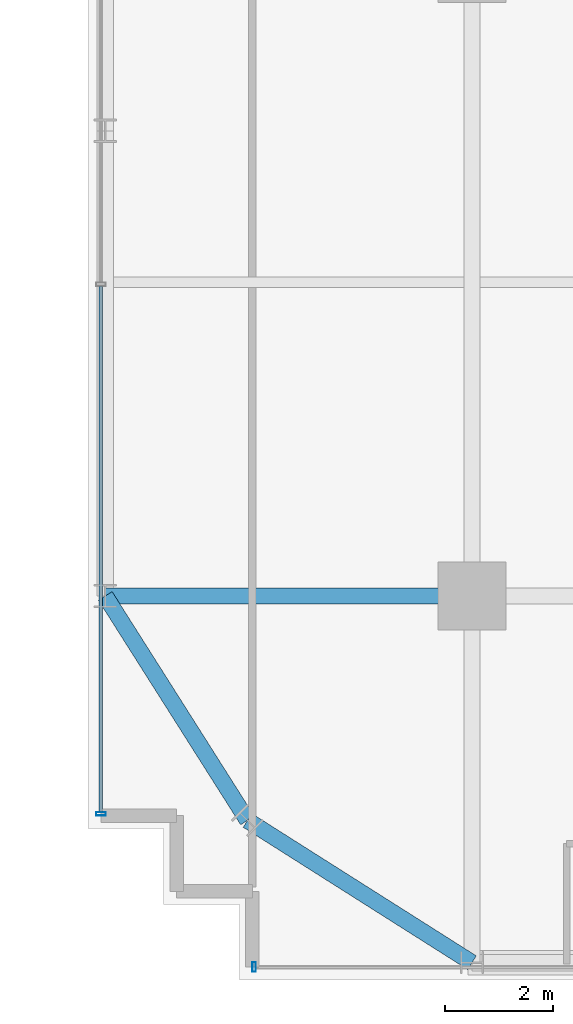
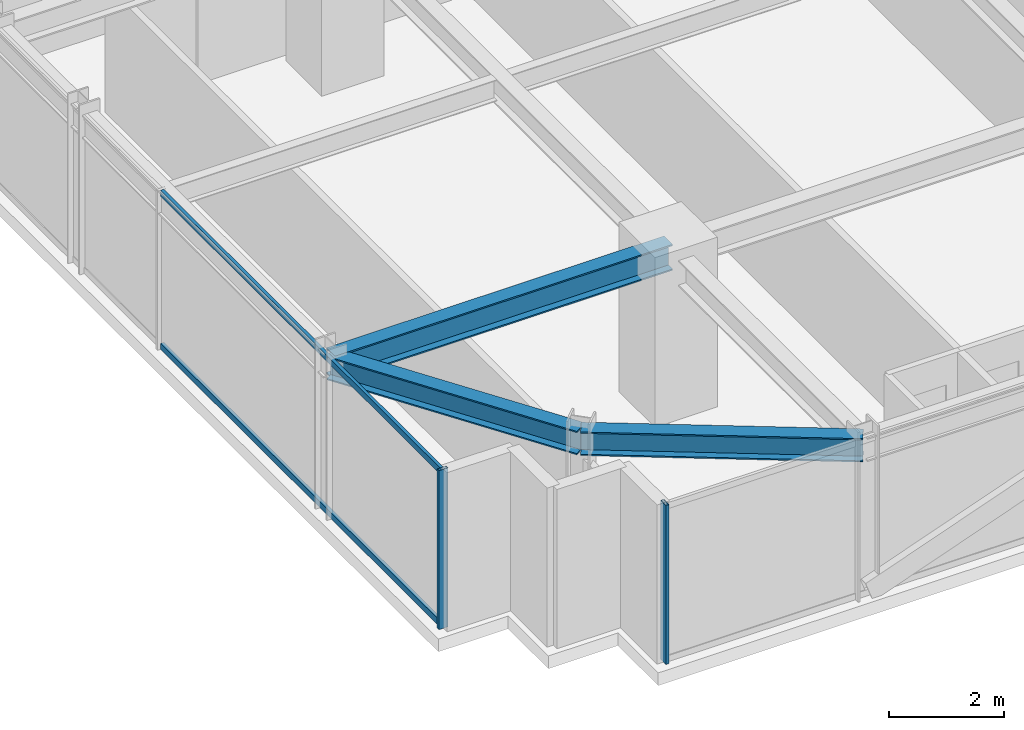
# One storey, part 2 of 35: 4 members, 3 beams, 2 elements without a shape of their own.
"""IFC4 building model written with IfcOpenShell, lengths in metres."""

from ifc_helpers import new_model, si_unit, direction, frame, origin, origin_2d, place, context, subcontext, project, spatial, hollow_rectangle, i_section, extrude, source, transform, mapped, material, material_profile, profile_set, type_object, element, aggregate, save


model = new_model("IFC4")

# Units and contexts
model_context = context("Model", 3, precision=1e-05, world=origin(), true_north=direction((0.0, 1.0)))
body_context = subcontext(model_context, "Body", "Model", "MODEL_VIEW")
ifc_project = project(units=[si_unit("LENGTHUNIT", "METRE"), si_unit("AREAUNIT", "SQUARE_METRE"), si_unit("VOLUMEUNIT", "CUBIC_METRE"), si_unit("PLANEANGLEUNIT", "RADIAN"), si_unit("MASSUNIT", "GRAM", prefix="KILO")], contexts=[model_context])

# Site, building, storey
site_placement = place(None, origin())
site = spatial("IfcSite", under=ifc_project, at=site_placement, CompositionType="ELEMENT")
building_placement = place(site_placement, origin())
building = spatial("IfcBuilding", under=site, at=building_placement, Name="Nahalor Promenade Grand Hotel", CompositionType="ELEMENT")
storey_placement = place(building_placement, frame((0.0, 0.0, 106.550048828125)))
storey = spatial("IfcBuildingStorey", under=building, at=storey_placement, Name="L26", CompositionType="ELEMENT", Elevation=106.550048828125)

# Beams
ifc_material_1 = material(Name="Steel S355JR", Category="steel")
ifc_material_profile_1 = material_profile(ifc_material_1, i_section(OverallWidth=0.3, OverallDepth=0.5, WebThickness=0.0145, FlangeThickness=0.028, at=origin_2d()), Name="HEB 500")
ifc_profile_set_1 = profile_set([ifc_material_profile_1], Name="Steel S355JR")
beam_type_1 = type_object("IfcBeamType", Name="Beam-Spandrel-HEB500", PredefinedType="SPANDREL", material=ifc_profile_set_1)
shared_shape_1 = source(origin(), body_context, "Body", "SweptSolid", [
    extrude(i_section(OverallWidth=0.3, OverallDepth=0.5, WebThickness=0.0145, FlangeThickness=0.028, at=origin_2d()), origin(), (0.0, 0.0, 1.0), 4.9130859375),
])
for number, where, z_axis, x_axis, name in (
    (1, (-17.0, -23.780029296875, 3.1298828125), (-0.844648325505, 0.535321591403, 0.0), (-0.535321591403, -0.844648325505, 0.0), "BM-L26-SPC-SW-1"),
    (2, (-21.14990234375, -21.14990234375, 3.1298828125), (-0.535321591403, 0.844648325505, 0.0), (-0.844648325505, -0.535321591403, 0.0), "BM-L26-SPC-SW-2"),
):
    element("IfcBeam", number, at=place(storey_placement, frame(where, z_axis=z_axis, x_axis=x_axis)), inside=storey, type_object=beam_type_1, Name=name, PredefinedType="SPANDREL", context=body_context, shape_type="MappedRepresentation", body=[
        mapped(shared_shape_1, transform((0.0, 0.0, 0.0), scale=1.0)),
    ])
ifc_material_profile_2 = material_profile(ifc_material_1, i_section(OverallWidth=0.3, OverallDepth=0.55, WebThickness=0.015, FlangeThickness=0.029, at=origin_2d()), Name="HEB 550")
ifc_profile_set_2 = profile_set([ifc_material_profile_2], Name="Steel S355JR")
beam_type_2 = type_object("IfcBeamType", Name="Beam-Girder-HEB550", PredefinedType="BEAM", material=ifc_profile_set_2)
shared_shape_2 = source(origin(), body_context, "Body", "SweptSolid", [
    extrude(i_section(OverallWidth=0.3, OverallDepth=0.55, WebThickness=0.015, FlangeThickness=0.029, at=origin_2d()), origin(), (0.0, 0.0, 1.0), 6.780029296875),
])
beam_placement = place(storey_placement, frame((-23.780029296875, -17.0, 3.10498046875), z_axis=(1.0, 0.0, 0.0), x_axis=(0.0, 1.0, 0.0)))
element("IfcBeam", 3, at=beam_placement, inside=storey, type_object=beam_type_2, Name="BM-L26-GX-0-0", PredefinedType="BEAM", context=body_context, shape_type="MappedRepresentation", body=[
    mapped(shared_shape_2, transform((0.0, 0.0, 0.0), scale=1.0)),
])

# Curtain wall, member
ifc_material_2 = material(Name="Anodised Bronze Aluminium EN AW-6063 T6", Category="aluminium")
curtain_wall_type = type_object("IfcCurtainWallType", Name="CW2 Typical Hotel Flush Bronze Unitised Curtain Wall", PredefinedType="USERDEFINED", material=ifc_material_2)
curtain_wall_1_placement = place(storey_placement, origin())
curtain_wall_1 = element("IfcCurtainWall", 4, at=curtain_wall_1_placement, inside=storey, type_object=curtain_wall_type, Name="L26 Curtain Wall CW-L26-S-1", ObjectType="UNITISED_CURTAIN_WALL", PredefinedType="USERDEFINED")
ifc_material_profile_3 = material_profile(ifc_material_2, hollow_rectangle(XDim=0.065, YDim=0.18, WallThickness=0.004, at=origin_2d()), Name="CWM 65x180x4")
ifc_profile_set_3 = profile_set([ifc_material_profile_3], Name="Anodised Bronze Aluminium EN AW-6063 T6")
member_type_1 = type_object("IfcMemberType", Name="CWM2 Typical Bronze Mullion 65x180", PredefinedType="MULLION", material=ifc_profile_set_3)
shared_shape_3 = source(origin(), body_context, "Body", "SweptSolid", [
    extrude(hollow_rectangle(XDim=0.065, YDim=0.18, WallThickness=0.004, at=origin_2d()), origin(), (0.0, 0.0, 1.0), 3.3798828125),
])
member_1_placement = place(storey_placement, frame((-21.027587890625, -23.860107421875, 0.0), z_axis=(0.0, 0.0, 1.0), x_axis=(1.0, 0.0, 0.0)))
member_1 = element("IfcMember", 5, at=member_1_placement, type_object=member_type_1, Name="CW-L26-S-1 Mullion 0", PredefinedType="MULLION", context=body_context, shape_type="MappedRepresentation", body=[
    mapped(shared_shape_3, transform((0.0, 0.0, 0.0), scale=1.0)),
])
aggregate(curtain_wall_1, [member_1])

# Curtain wall, members
curtain_wall_2_placement = place(storey_placement, origin())
curtain_wall_2 = element("IfcCurtainWall", 6, at=curtain_wall_2_placement, inside=storey, type_object=curtain_wall_type, Name="L26 Curtain Wall CW-L26-W-1", ObjectType="UNITISED_CURTAIN_WALL", PredefinedType="USERDEFINED")
member_2_placement = place(storey_placement, frame((-23.860107421875, -21.027587890625, 0.0), z_axis=(0.0, 0.0, 1.0), x_axis=(0.0, 1.0, 0.0)))
member_2 = element("IfcMember", 7, at=member_2_placement, type_object=member_type_1, Name="CW-L26-W-1 Mullion 0", PredefinedType="MULLION", context=body_context, shape_type="MappedRepresentation", body=[
    mapped(shared_shape_3, transform((0.0, 0.0, 0.0), scale=1.0)),
])
ifc_material_profile_4 = material_profile(ifc_material_2, hollow_rectangle(XDim=0.065, YDim=0.13, WallThickness=0.004, at=origin_2d()), Name="CWT 65x130x4")
ifc_profile_set_4 = profile_set([ifc_material_profile_4], Name="Anodised Bronze Aluminium EN AW-6063 T6")
member_type_2 = type_object("IfcMemberType", Name="CWT2 Typical Bronze Transom 65x130", PredefinedType="USERDEFINED", material=ifc_profile_set_4)
shared_shape_4 = source(origin(), body_context, "Body", "SweptSolid", [
    extrude(hollow_rectangle(XDim=0.065, YDim=0.13, WallThickness=0.004, at=origin_2d()), origin(), (0.0, 0.0, 1.0), 9.72265625),
])
member_3_placement = place(storey_placement, frame((-23.860107421875, -20.9951171875, 0.06494140625), z_axis=(0.0, 1.0, 0.0), x_axis=(-1.0, 0.0, 0.0)))
member_3 = element("IfcMember", 8, at=member_3_placement, type_object=member_type_2, Name="CW-L26-W-1 Transom 0-0", ObjectType="TRANSOM", PredefinedType="USERDEFINED", context=body_context, shape_type="MappedRepresentation", body=[
    mapped(shared_shape_4, transform((0.0, 0.0, 0.0), scale=1.0)),
])
member_4_placement = place(storey_placement, frame((-23.860107421875, -20.9951171875, 3.31494140625), z_axis=(0.0, 1.0, 0.0), x_axis=(-1.0, 0.0, 0.0)))
member_4 = element("IfcMember", 9, at=member_4_placement, type_object=member_type_2, Name="CW-L26-W-1 Transom 0-1", ObjectType="TRANSOM", PredefinedType="USERDEFINED", context=body_context, shape_type="MappedRepresentation", body=[
    mapped(shared_shape_4, transform((0.0, 0.0, 0.0), scale=1.0)),
])
aggregate(curtain_wall_2, [member_2, member_3, member_4])

save(model, "model.ifc")
